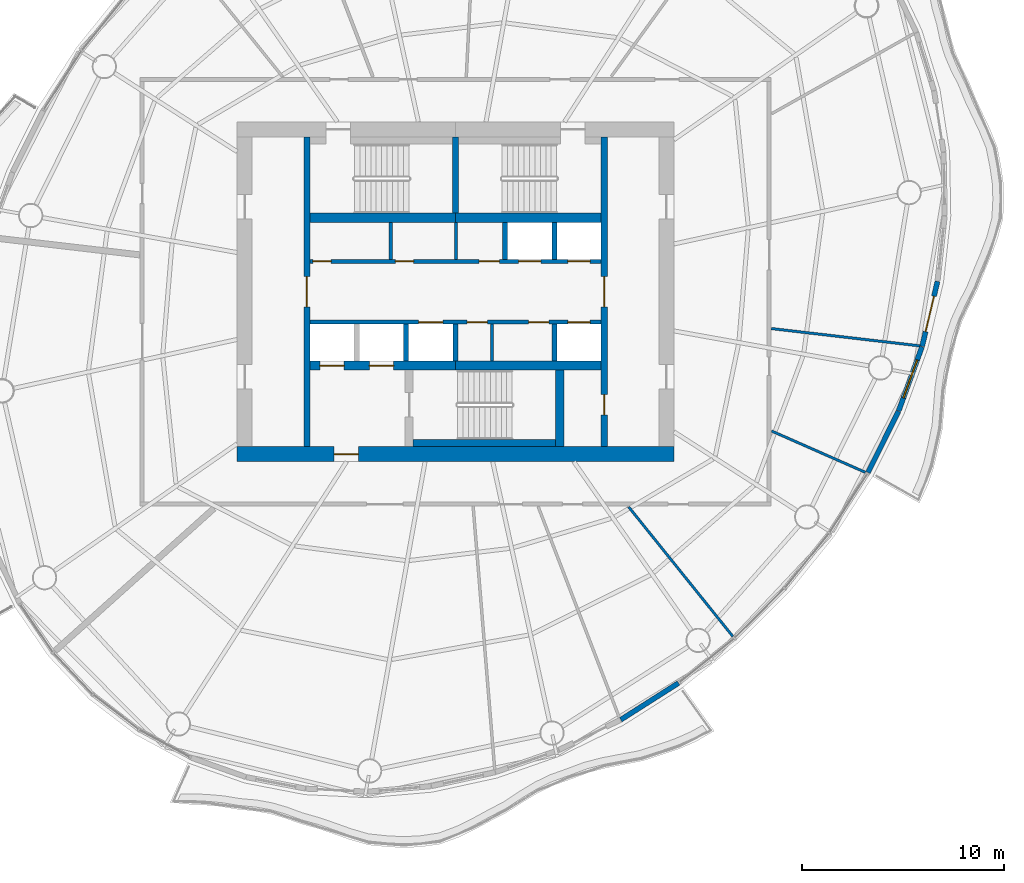
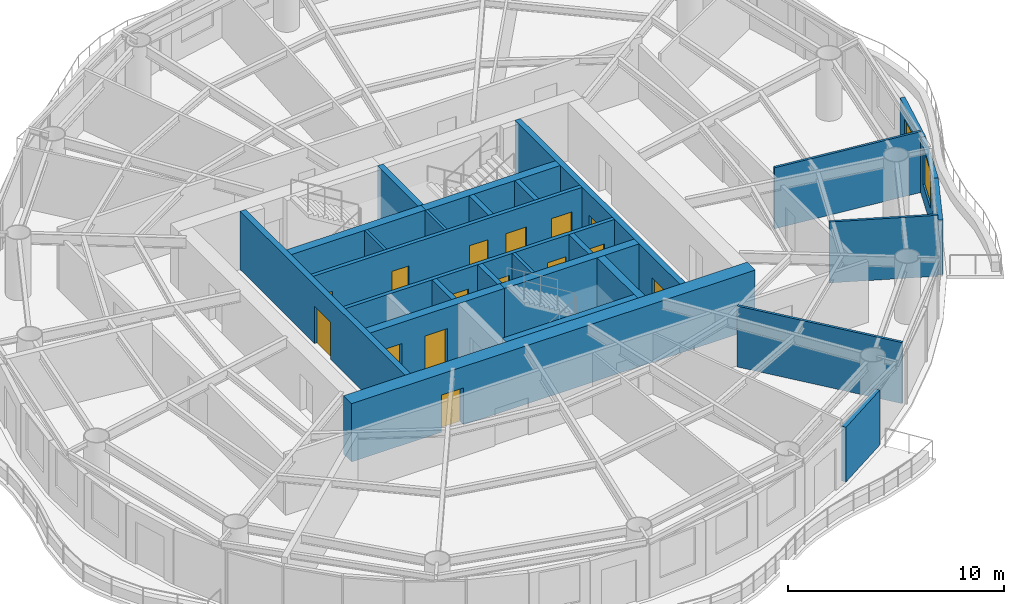
# One storey, part 9 of 14: 27 walls, 16 doors, 1 window, 17 openings.
"""IFC4 building model written with IfcOpenShell, lengths in metres."""

from ifc_helpers import new_model, si_unit, direction, frame, frame_2d, origin, place, context, subcontext, project, spatial, rectangle, extrude, material, layer, layer_set, type_object, element, fill, save


model = new_model("IFC4")

# Units and contexts
model_context = context("Model", 3, precision=1e-05, world=origin(), true_north=direction((0.0, 1.0)))
body_context = subcontext(model_context, "Body", "Model", "MODEL_VIEW")
ifc_project = project(units=[si_unit("LENGTHUNIT", "METRE"), si_unit("AREAUNIT", "SQUARE_METRE"), si_unit("VOLUMEUNIT", "CUBIC_METRE"), si_unit("PLANEANGLEUNIT", "RADIAN"), si_unit("MASSUNIT", "GRAM", prefix="KILO")], contexts=[model_context])

# Site, building, storey
site_placement = place(None, origin())
site = spatial("IfcSite", under=ifc_project, at=site_placement, CompositionType="ELEMENT")
building_placement = place(site_placement, origin())
building = spatial("IfcBuilding", under=site, at=building_placement, Name="Vermilion Reach Broadcast Tower", CompositionType="ELEMENT")
storey_placement = place(building_placement, frame((0.0, 0.0, 224.5)))
storey = spatial("IfcBuildingStorey", under=building, at=storey_placement, Name="L55", CompositionType="ELEMENT", Elevation=224.5)

# Wall, opening, door
ifc_material_1 = material(Name="Concrete C60", Category="concrete")
ifc_layer_1 = layer(ifc_material_1, 0.300048828125)
ifc_layer_set_1 = layer_set([ifc_layer_1], Name="Core inner wall 300 mm Concrete C60")
wall_type_1 = type_object("IfcWallType", Name="Core inner wall 300 mm Concrete C60", PredefinedType="SHEAR", material=ifc_layer_set_1)
wall_1_placement = place(storey_placement, frame((-13.35009765625, 7.64990234375, 0.0), z_axis=(0.0, 0.0, 1.0), x_axis=(0.0, -1.0, 0.0)))
wall_1 = element("IfcWall", 1, at=wall_1_placement, inside=storey, type_object=wall_type_1, Name="L55 core wall ewW", PredefinedType="SHEAR", context=body_context, shape_type="SweptSolid", body=[
    extrude(rectangle(XDim=15.2998046875, YDim=0.300048828125, at=frame_2d((7.64990234375, 0.0))), origin(), (0.0, 0.0, 1.0), 3.300048828125),
])
opening_1_placement = place(wall_1_placement, frame((6.89990234375, 0.0, 0.0)))
opening_1 = element("IfcOpeningElement", 2, at=opening_1_placement, cuts=wall_1, Name="Opening D04", PredefinedType="OPENING", context=body_context, shape_type="SweptSolid", body=[
    extrude(rectangle(XDim=1.5, YDim=2.10009765625, at=frame_2d((0.75, 1.050048828125))), frame((0.0, 0.159912109375, 0.0), z_axis=(0.0, -1.0, 0.0), x_axis=(1.0, 0.0, 0.0)), (0.0, 0.0, 1.0), 0.320068359375),
])
ifc_material_2 = material(Name="Painted steel fire door", Category="steel")
door_type_1 = type_object("IfcDoorType", Name="Lift lobby door 1500 x 2100", OperationType="DOUBLE_DOOR_SINGLE_SWING", PredefinedType="NOTDEFINED", material=ifc_material_2)
door_1_placement = place(opening_1_placement, origin())
door_1 = element("IfcDoor", 3, at=door_1_placement, inside=storey, type_object=door_type_1, Name="L55 band door BW", OperationType="DOUBLE_DOOR_SINGLE_SWING", OverallHeight=2.10009765625, OverallWidth=1.5, PredefinedType="NOTDEFINED", context=body_context, shape_type="SweptSolid", body=[
    extrude(rectangle(XDim=1.5, YDim=2.10009765625, at=frame_2d((0.75, 1.050048828125))), frame((0.0, 0.02490234375, 0.0), z_axis=(0.0, -1.0, 0.0), x_axis=(1.0, 0.0, 0.0)), (0.0, 0.0, 1.0), 0.050048828125),
])
fill(opening_1, door_1)

# Wall, openings, doors
wall_2_placement = place(storey_placement, frame((1.35009765625, -7.64990234375, 0.0), z_axis=(0.0, 0.0, 1.0), x_axis=(0.0, 1.0, 0.0)))
wall_2 = element("IfcWall", 4, at=wall_2_placement, inside=storey, type_object=wall_type_1, Name="L55 core wall ewE", PredefinedType="SHEAR", context=body_context, shape_type="SweptSolid", body=[
    extrude(rectangle(XDim=15.2998046875, YDim=0.300048828125, at=frame_2d((7.64990234375, 0.0))), origin(), (0.0, 0.0, 1.0), 3.300048828125),
])
opening_2_placement = place(wall_2_placement, frame((1.56005859375, 0.0, 0.0)))
opening_2 = element("IfcOpeningElement", 5, at=opening_2_placement, cuts=wall_2, Name="Opening D05", PredefinedType="OPENING", context=body_context, shape_type="SweptSolid", body=[
    extrude(rectangle(XDim=1.0, YDim=2.10009765625, at=frame_2d((0.5, 1.050048828125))), frame((0.0, 0.159912109375, 0.0), z_axis=(0.0, -1.0, 0.0), x_axis=(1.0, 0.0, 0.0)), (0.0, 0.0, 1.0), 0.320068359375),
])
opening_3_placement = place(wall_2_placement, frame((6.89990234375, 0.0, 0.0)))
opening_3 = element("IfcOpeningElement", 6, at=opening_3_placement, cuts=wall_2, Name="Opening D04", PredefinedType="OPENING", context=body_context, shape_type="SweptSolid", body=[
    extrude(rectangle(XDim=1.5, YDim=2.10009765625, at=frame_2d((0.75, 1.050048828125))), frame((0.0, 0.159912109375, 0.0), z_axis=(0.0, -1.0, 0.0), x_axis=(1.0, 0.0, 0.0)), (0.0, 0.0, 1.0), 0.320068359375),
])
door_2_placement = place(opening_3_placement, origin())
door_2 = element("IfcDoor", 7, at=door_2_placement, inside=storey, type_object=door_type_1, Name="L55 band door BE", OperationType="DOUBLE_DOOR_SINGLE_SWING", OverallHeight=2.10009765625, OverallWidth=1.5, PredefinedType="NOTDEFINED", context=body_context, shape_type="SweptSolid", body=[
    extrude(rectangle(XDim=1.5, YDim=2.10009765625, at=frame_2d((0.75, 1.050048828125))), frame((0.0, 0.02490234375, 0.0), z_axis=(0.0, -1.0, 0.0), x_axis=(1.0, 0.0, 0.0)), (0.0, 0.0, 1.0), 0.050048828125),
])
fill(opening_3, door_2)
ifc_material_3 = material(Name="Timber door", Category="wood")
door_type_2 = type_object("IfcDoorType", Name="Room door 1000 x 2100", OperationType="NOTDEFINED", PredefinedType="NOTDEFINED", material=ifc_material_3)
door_3_placement = place(opening_2_placement, origin())
door_3 = element("IfcDoor", 8, at=door_3_placement, inside=storey, type_object=door_type_2, Name="L55 door SER", OperationType="SINGLE_SWING_LEFT", OverallHeight=2.10009765625, OverallWidth=1.0, PredefinedType="NOTDEFINED", context=body_context, shape_type="SweptSolid", body=[
    extrude(rectangle(XDim=1.0, YDim=2.10009765625, at=frame_2d((0.5, 1.050048828125))), frame((0.0, 0.02490234375, 0.0), z_axis=(0.0, -1.0, 0.0), x_axis=(1.0, 0.0, 0.0)), (0.0, 0.0, 1.0), 0.050048828125),
])
fill(opening_2, door_3)

# Walls
wall_3_placement = place(storey_placement, frame((-6.0, 3.8798828125, 0.0), z_axis=(0.0, 0.0, 1.0), x_axis=(0.0, 1.0, 0.0)))
element("IfcWall", 9, at=wall_3_placement, inside=storey, type_object=wall_type_1, Name="L55 core wall wc", PredefinedType="SHEAR", context=body_context, shape_type="SweptSolid", body=[
    extrude(rectangle(XDim=3.77001953125, YDim=0.300048828125, at=frame_2d((1.885009765625, 0.0))), origin(), (0.0, 0.0, 1.0), 3.300048828125),
])
ifc_material_4 = material(Name="Concrete C60", Category="concrete")
ifc_layer_2 = layer(ifc_material_4, 0.39990234375)
ifc_layer_set_2 = layer_set([ifc_layer_2], Name="Core inner wall 400 mm Concrete C60")
wall_type_2 = type_object("IfcWallType", Name="Core inner wall 400 mm Concrete C60", PredefinedType="SHEAR", material=ifc_layer_set_2)
wall_4_placement = place(storey_placement, frame((-0.85009765625, -3.8798828125, 0.0), z_axis=(0.0, 0.0, 1.0), x_axis=(0.0, -1.0, 0.0)))
element("IfcWall", 10, at=wall_4_placement, inside=storey, type_object=wall_type_2, Name="L55 core wall wb", PredefinedType="SHEAR", context=body_context, shape_type="SweptSolid", body=[
    extrude(rectangle(XDim=3.77001953125, YDim=0.39990234375, at=frame_2d((1.885009765625, 0.0))), origin(), (0.0, 0.0, 1.0), 3.300048828125),
])
ifc_material_5 = material(Name="Concrete C60", Category="concrete")
ifc_layer_3 = layer(ifc_material_5, 0.449951171875)
ifc_layer_set_3 = layer_set([ifc_layer_3], Name="Core inner wall 450 mm Concrete C60")
wall_type_3 = type_object("IfcWallType", Name="Core inner wall 450 mm Concrete C60", PredefinedType="SHEAR", material=ifc_layer_set_3)
for number, where, z_axis, x_axis, name in (
    (11, (-13.199951171875, 3.655029296875, 0.0), (0.0, 0.0, 1.0), (1.0, 0.0, 0.0), "L55 core wall winW"),
    (12, (-6.0, 3.655029296875, 0.0), (0.0, 0.0, 1.0), (1.0, 0.0, 0.0), "L55 core wall winE"),
):
    element("IfcWall", number, at=place(storey_placement, frame(where, z_axis=z_axis, x_axis=x_axis)), inside=storey, type_object=wall_type_3, Name=name, PredefinedType="SHEAR", context=body_context, shape_type="SweptSolid", body=[
        extrude(rectangle(XDim=7.199951171875, YDim=0.449951171875, at=frame_2d((3.60009765625, 0.0))), origin(), (0.0, 0.0, 1.0), 3.300048828125),
    ])

# Wall, openings, doors
wall_5_placement = place(storey_placement, frame((-13.199951171875, -3.655029296875, 0.0), z_axis=(0.0, 0.0, 1.0), x_axis=(1.0, 0.0, 0.0)))
wall_5 = element("IfcWall", 13, at=wall_5_placement, inside=storey, type_object=wall_type_3, Name="L55 core wall wisW", PredefinedType="SHEAR", context=body_context, shape_type="SweptSolid", body=[
    extrude(rectangle(XDim=7.199951171875, YDim=0.449951171875, at=frame_2d((3.60009765625, 0.0))), origin(), (0.0, 0.0, 1.0), 3.300048828125),
])
opening_4_placement = place(wall_5_placement, frame((0.495849609375, 0.0, 0.0)))
opening_4 = element("IfcOpeningElement", 14, at=opening_4_placement, cuts=wall_5, Name="Opening LD1", PredefinedType="OPENING", context=body_context, shape_type="SweptSolid", body=[
    extrude(rectangle(XDim=1.199951171875, YDim=2.10009765625, at=frame_2d((0.60009765625, 1.050048828125))), frame((0.0, 0.23486328125, 0.0), z_axis=(0.0, -1.0, 0.0), x_axis=(1.0, 0.0, 0.0)), (0.0, 0.0, 1.0), 0.469970703125),
])
opening_5_placement = place(wall_5_placement, frame((2.9375, 0.0, 0.0)))
opening_5 = element("IfcOpeningElement", 15, at=opening_5_placement, cuts=wall_5, Name="Opening LD1", PredefinedType="OPENING", context=body_context, shape_type="SweptSolid", body=[
    extrude(rectangle(XDim=1.199951171875, YDim=2.10009765625, at=frame_2d((0.60009765625, 1.050048828125))), frame((0.0, 0.23486328125, 0.0), z_axis=(0.0, -1.0, 0.0), x_axis=(1.0, 0.0, 0.0)), (0.0, 0.0, 1.0), 0.469970703125),
])
ifc_material_6 = material(Name="Stainless steel", Category="steel")
door_type_3 = type_object("IfcDoorType", Name="Landing door 1200 x 2100", OperationType="DOUBLE_DOOR_SLIDING", PredefinedType="NOTDEFINED", material=ifc_material_6)
door_4_placement = place(opening_4_placement, origin())
door_4 = element("IfcDoor", 16, at=door_4_placement, inside=storey, type_object=door_type_3, Name="L55 landing door FF1", OperationType="DOUBLE_DOOR_SLIDING", OverallHeight=2.10009765625, OverallWidth=1.199951171875, PredefinedType="NOTDEFINED", context=body_context, shape_type="SweptSolid", body=[
    extrude(rectangle(XDim=1.199951171875, YDim=2.10009765625, at=frame_2d((0.60009765625, 1.050048828125))), frame((0.0, 0.02490234375, 0.0), z_axis=(0.0, -1.0, 0.0), x_axis=(1.0, 0.0, 0.0)), (0.0, 0.0, 1.0), 0.050048828125),
])
fill(opening_4, door_4)
door_5_placement = place(opening_5_placement, origin())
door_5 = element("IfcDoor", 17, at=door_5_placement, inside=storey, type_object=door_type_3, Name="L55 landing door FF2", OperationType="DOUBLE_DOOR_SLIDING", OverallHeight=2.10009765625, OverallWidth=1.199951171875, PredefinedType="NOTDEFINED", context=body_context, shape_type="SweptSolid", body=[
    extrude(rectangle(XDim=1.199951171875, YDim=2.10009765625, at=frame_2d((0.60009765625, 1.050048828125))), frame((0.0, 0.02490234375, 0.0), z_axis=(0.0, -1.0, 0.0), x_axis=(1.0, 0.0, 0.0)), (0.0, 0.0, 1.0), 0.050048828125),
])
fill(opening_5, door_5)

# Wall
wall_6_placement = place(storey_placement, frame((-6.0, -3.655029296875, 0.0), z_axis=(0.0, 0.0, 1.0), x_axis=(1.0, 0.0, 0.0)))
element("IfcWall", 18, at=wall_6_placement, inside=storey, type_object=wall_type_3, Name="L55 core wall wisE", PredefinedType="SHEAR", context=body_context, shape_type="SweptSolid", body=[
    extrude(rectangle(XDim=7.199951171875, YDim=0.449951171875, at=frame_2d((3.60009765625, 0.0))), origin(), (0.0, 0.0, 1.0), 3.300048828125),
])

# Wall, opening, door
ifc_material_7 = material(Name="Concrete C60", Category="concrete")
ifc_layer_4 = layer(ifc_material_7, 0.75)
ifc_layer_set_4 = layer_set([ifc_layer_4], Name="Core outer wall 750 mm Concrete C60")
wall_type_4 = type_object("IfcWallType", Name="Core outer wall 750 mm Concrete C60", PredefinedType="SHEAR", material=ifc_layer_set_4)
wall_7_placement = place(storey_placement, frame((-16.800048828125, -8.02490234375, 0.0), z_axis=(0.0, 0.0, 1.0), x_axis=(1.0, 0.0, 0.0)))
wall_7 = element("IfcWall", 19, at=wall_7_placement, inside=storey, type_object=wall_type_4, Name="L55 core wall os", PredefinedType="SHEAR", context=body_context, shape_type="SweptSolid", body=[
    extrude(rectangle(XDim=21.60009765625, YDim=0.75, at=frame_2d((10.800048828125, 0.0))), origin(), (0.0, 0.0, 1.0), 3.300048828125),
])
opening_6_placement = place(wall_7_placement, frame((4.800048828125, 0.0, 0.0)))
opening_6 = element("IfcOpeningElement", 20, at=opening_6_placement, cuts=wall_7, Name="Opening D02", PredefinedType="OPENING", context=body_context, shape_type="SweptSolid", body=[
    extrude(rectangle(XDim=1.199951171875, YDim=2.10009765625, at=frame_2d((0.60009765625, 1.050048828125))), frame((0.0, 0.385009765625, 0.0), z_axis=(0.0, -1.0, 0.0), x_axis=(1.0, 0.0, 0.0)), (0.0, 0.0, 1.0), 0.77001953125),
])
ifc_material_8 = material(Name="Painted steel fire door", Category="steel")
door_type_4 = type_object("IfcDoorType", Name="Firefighting lobby door 1200 x 2100", OperationType="DOUBLE_DOOR_SINGLE_SWING", PredefinedType="NOTDEFINED", material=ifc_material_8)
door_6_placement = place(opening_6_placement, origin())
door_6 = element("IfcDoor", 21, at=door_6_placement, inside=storey, type_object=door_type_4, Name="L55 ffdoor door FFL", OperationType="DOUBLE_DOOR_SINGLE_SWING", OverallHeight=2.10009765625, OverallWidth=1.199951171875, PredefinedType="NOTDEFINED", context=body_context, shape_type="SweptSolid", body=[
    extrude(rectangle(XDim=1.199951171875, YDim=2.10009765625, at=frame_2d((0.60009765625, 1.050048828125))), frame((0.0, 0.02490234375, 0.0), z_axis=(0.0, -1.0, 0.0), x_axis=(1.0, 0.0, 0.0)), (0.0, 0.0, 1.0), 0.050048828125),
])
fill(opening_6, door_6)

# Walls
ifc_material_9 = material(Name="Masonry block", Category="masonry")
ifc_layer_5 = layer(ifc_material_9, 0.14990234375)
ifc_layer_set_5 = layer_set([ifc_layer_5], Name="Core partition wall 150 mm Masonry block")
wall_type_5 = type_object("IfcWallType", Name="Core partition wall 150 mm Masonry block", PredefinedType="PARTITIONING", material=ifc_layer_set_5)
for number, where, z_axis, x_axis, name in (
    (22, (-9.202880859375, 1.60009765625, 0.0), (0.0, 0.0, 1.0), (0.0, 1.0, 0.0), "L55 core wall prN-3203"),
    (23, (-5.96728515625, 1.60009765625, 0.0), (0.0, 0.0, 1.0), (0.0, 1.0, 0.0), "L55 core wall prN33"),
    (24, (-4.20703125, -1.60009765625, 0.0), (0.0, 0.0, 1.0), (0.0, -1.0, 0.0), "L55 core wall prS1793"),
):
    element("IfcWall", number, at=place(storey_placement, frame(where, z_axis=z_axis, x_axis=x_axis)), inside=storey, type_object=wall_type_5, Name=name, PredefinedType="PARTITIONING", context=body_context, shape_type="SweptSolid", body=[
        extrude(rectangle(XDim=1.829833984375, YDim=0.14990234375, at=frame_2d((0.9150390625, 0.0))), origin(), (0.0, 0.0, 1.0), 3.300048828125),
    ])

# Wall, openings, doors
ifc_material_10 = material(Name="Concrete C50", Category="concrete")
ifc_layer_6 = layer(ifc_material_10, 0.199951171875)
ifc_layer_set_6 = layer_set([ifc_layer_6], Name="Core shaft wall 200 mm Concrete C50")
wall_type_6 = type_object("IfcWallType", Name="Core shaft wall 200 mm Concrete C50", PredefinedType="SHEAR", material=ifc_layer_set_6)
wall_8_placement = place(storey_placement, frame((-13.199951171875, 1.5, 0.0), z_axis=(0.0, 0.0, 1.0), x_axis=(1.0, 0.0, 0.0)))
wall_8 = element("IfcWall", 25, at=wall_8_placement, inside=storey, type_object=wall_type_6, Name="L55 core wall fn", PredefinedType="SHEAR", context=body_context, shape_type="SweptSolid", body=[
    extrude(rectangle(XDim=14.39990234375, YDim=0.199951171875, at=frame_2d((7.199951171875, 0.0))), origin(), (0.0, 0.0, 1.0), 3.300048828125),
])
opening_7_placement = place(wall_8_placement, frame((10.3125, 0.0, 0.0)))
opening_7 = element("IfcOpeningElement", 26, at=opening_7_placement, cuts=wall_8, Name="Opening LD2", PredefinedType="OPENING", context=body_context, shape_type="SweptSolid", body=[
    extrude(rectangle(XDim=1.10009765625, YDim=2.10009765625, at=frame_2d((0.550048828125, 1.050048828125))), frame((0.0, 0.10986328125, 0.0), z_axis=(0.0, -1.0, 0.0), x_axis=(1.0, 0.0, 0.0)), (0.0, 0.0, 1.0), 0.219970703125),
])
opening_8_placement = place(wall_8_placement, frame((12.754150390625, 0.0, 0.0)))
opening_8 = element("IfcOpeningElement", 27, at=opening_8_placement, cuts=wall_8, Name="Opening LD2", PredefinedType="OPENING", context=body_context, shape_type="SweptSolid", body=[
    extrude(rectangle(XDim=1.10009765625, YDim=2.10009765625, at=frame_2d((0.550048828125, 1.050048828125))), frame((0.0, 0.10986328125, 0.0), z_axis=(0.0, -1.0, 0.0), x_axis=(1.0, 0.0, 0.0)), (0.0, 0.0, 1.0), 0.219970703125),
])
opening_9_placement = place(wall_8_placement, frame((0.14990234375, 0.0, 0.0)))
opening_9 = element("IfcOpeningElement", 28, at=opening_9_placement, cuts=wall_8, Name="Opening D06", PredefinedType="OPENING", context=body_context, shape_type="SweptSolid", body=[
    extrude(rectangle(XDim=0.89990234375, YDim=2.10009765625, at=frame_2d((0.449951171875, 1.050048828125))), frame((0.0, 0.10986328125, 0.0), z_axis=(0.0, -1.0, 0.0), x_axis=(1.0, 0.0, 0.0)), (0.0, 0.0, 1.0), 0.219970703125),
])
opening_10_placement = place(wall_8_placement, frame((4.221923828125, 0.0, 0.0)))
opening_10 = element("IfcOpeningElement", 29, at=opening_10_placement, cuts=wall_8, Name="Opening D06", PredefinedType="OPENING", context=body_context, shape_type="SweptSolid", body=[
    extrude(rectangle(XDim=0.89990234375, YDim=2.10009765625, at=frame_2d((0.449951171875, 1.050048828125))), frame((0.0, 0.10986328125, 0.0), z_axis=(0.0, -1.0, 0.0), x_axis=(1.0, 0.0, 0.0)), (0.0, 0.0, 1.0), 0.219970703125),
])
opening_11_placement = place(wall_8_placement, frame((8.36669921875, 0.0, 0.0)))
opening_11 = element("IfcOpeningElement", 30, at=opening_11_placement, cuts=wall_8, Name="Opening D10", PredefinedType="OPENING", context=body_context, shape_type="SweptSolid", body=[
    extrude(rectangle(XDim=1.0, YDim=2.10009765625, at=frame_2d((0.5, 1.050048828125))), frame((0.0, 0.10986328125, 0.0), z_axis=(0.0, -1.0, 0.0), x_axis=(1.0, 0.0, 0.0)), (0.0, 0.0, 1.0), 0.219970703125),
])
ifc_material_11 = material(Name="Stainless steel", Category="steel")
door_type_5 = type_object("IfcDoorType", Name="Landing door 1100 x 2100", OperationType="DOUBLE_DOOR_SLIDING", PredefinedType="NOTDEFINED", material=ifc_material_11)
door_7_placement = place(opening_7_placement, origin())
door_7 = element("IfcDoor", 31, at=door_7_placement, inside=storey, type_object=door_type_5, Name="L55 landing door HR1", OperationType="DOUBLE_DOOR_SLIDING", OverallHeight=2.10009765625, OverallWidth=1.10009765625, PredefinedType="NOTDEFINED", context=body_context, shape_type="SweptSolid", body=[
    extrude(rectangle(XDim=1.10009765625, YDim=2.10009765625, at=frame_2d((0.550048828125, 1.050048828125))), frame((0.0, 0.02490234375, 0.0), z_axis=(0.0, -1.0, 0.0), x_axis=(1.0, 0.0, 0.0)), (0.0, 0.0, 1.0), 0.050048828125),
])
fill(opening_7, door_7)
door_8_placement = place(opening_8_placement, origin())
door_8 = element("IfcDoor", 32, at=door_8_placement, inside=storey, type_object=door_type_5, Name="L55 landing door HR2", OperationType="DOUBLE_DOOR_SLIDING", OverallHeight=2.10009765625, OverallWidth=1.10009765625, PredefinedType="NOTDEFINED", context=body_context, shape_type="SweptSolid", body=[
    extrude(rectangle(XDim=1.10009765625, YDim=2.10009765625, at=frame_2d((0.550048828125, 1.050048828125))), frame((0.0, 0.02490234375, 0.0), z_axis=(0.0, -1.0, 0.0), x_axis=(1.0, 0.0, 0.0)), (0.0, 0.0, 1.0), 0.050048828125),
])
fill(opening_8, door_8)
ifc_material_12 = material(Name="Timber door", Category="wood")
door_type_6 = type_object("IfcDoorType", Name="WC door 900 x 2100", OperationType="NOTDEFINED", PredefinedType="NOTDEFINED", material=ifc_material_12)
door_9_placement = place(opening_9_placement, origin())
door_9 = element("IfcDoor", 33, at=door_9_placement, inside=storey, type_object=door_type_6, Name="L55 door Female WC", OperationType="SINGLE_SWING_LEFT", OverallHeight=2.10009765625, OverallWidth=0.89990234375, PredefinedType="NOTDEFINED", context=body_context, shape_type="SweptSolid", body=[
    extrude(rectangle(XDim=0.89990234375, YDim=2.10009765625, at=frame_2d((0.449951171875, 1.050048828125))), frame((0.0, 0.02490234375, 0.0), z_axis=(0.0, -1.0, 0.0), x_axis=(1.0, 0.0, 0.0)), (0.0, 0.0, 1.0), 0.050048828125),
])
fill(opening_9, door_9)
door_10_placement = place(opening_10_placement, origin())
door_10 = element("IfcDoor", 34, at=door_10_placement, inside=storey, type_object=door_type_6, Name="L55 door Male WC", OperationType="SINGLE_SWING_LEFT", OverallHeight=2.10009765625, OverallWidth=0.89990234375, PredefinedType="NOTDEFINED", context=body_context, shape_type="SweptSolid", body=[
    extrude(rectangle(XDim=0.89990234375, YDim=2.10009765625, at=frame_2d((0.449951171875, 1.050048828125))), frame((0.0, 0.02490234375, 0.0), z_axis=(0.0, -1.0, 0.0), x_axis=(1.0, 0.0, 0.0)), (0.0, 0.0, 1.0), 0.050048828125),
])
fill(opening_10, door_10)
ifc_material_13 = material(Name="Timber door", Category="wood")
door_type_7 = type_object("IfcDoorType", Name="WC lobby door 1000 x 2100", OperationType="NOTDEFINED", PredefinedType="NOTDEFINED", material=ifc_material_13)
door_11_placement = place(opening_11_placement, origin())
door_11 = element("IfcDoor", 35, at=door_11_placement, inside=storey, type_object=door_type_7, Name="L55 door WC lobby", OperationType="SINGLE_SWING_RIGHT", OverallHeight=2.10009765625, OverallWidth=1.0, PredefinedType="NOTDEFINED", context=body_context, shape_type="SweptSolid", body=[
    extrude(rectangle(XDim=1.0, YDim=2.10009765625, at=frame_2d((0.5, 1.050048828125))), frame((0.0, 0.02490234375, 0.0), z_axis=(0.0, -1.0, 0.0), x_axis=(1.0, 0.0, 0.0)), (0.0, 0.0, 1.0), 0.050048828125),
])
fill(opening_11, door_11)

wall_9_placement = place(storey_placement, frame((1.199951171875, -1.5, 0.0), z_axis=(0.0, 0.0, 1.0), x_axis=(-1.0, 0.0, 0.0)))
wall_9 = element("IfcWall", 36, at=wall_9_placement, inside=storey, type_object=wall_type_6, Name="L55 core wall fs", PredefinedType="SHEAR", context=body_context, shape_type="SweptSolid", body=[
    extrude(rectangle(XDim=14.39990234375, YDim=0.199951171875, at=frame_2d((7.199951171875, 0.0))), origin(), (0.0, 0.0, 1.0), 3.300048828125),
])
opening_12_placement = place(wall_9_placement, frame((7.82080078125, 0.0, 0.0)))
opening_12 = element("IfcOpeningElement", 37, at=opening_12_placement, cuts=wall_9, Name="Opening LD1", PredefinedType="OPENING", context=body_context, shape_type="SweptSolid", body=[
    extrude(rectangle(XDim=1.199951171875, YDim=2.10009765625, at=frame_2d((0.60009765625, 1.050048828125))), frame((0.0, 0.10986328125, 0.0), z_axis=(0.0, -1.0, 0.0), x_axis=(1.0, 0.0, 0.0)), (0.0, 0.0, 1.0), 0.219970703125),
])
opening_13_placement = place(wall_9_placement, frame((0.5458984375, 0.0, 0.0)))
opening_13 = element("IfcOpeningElement", 38, at=opening_13_placement, cuts=wall_9, Name="Opening LD2", PredefinedType="OPENING", context=body_context, shape_type="SweptSolid", body=[
    extrude(rectangle(XDim=1.10009765625, YDim=2.10009765625, at=frame_2d((0.550048828125, 1.050048828125))), frame((0.0, 0.10986328125, 0.0), z_axis=(0.0, -1.0, 0.0), x_axis=(1.0, 0.0, 0.0)), (0.0, 0.0, 1.0), 0.219970703125),
])
opening_14_placement = place(wall_9_placement, frame((5.632080078125, 0.0, 0.0)))
opening_14 = element("IfcOpeningElement", 39, at=opening_14_placement, cuts=wall_9, Name="Opening D11", PredefinedType="OPENING", context=body_context, shape_type="SweptSolid", body=[
    extrude(rectangle(XDim=1.0, YDim=2.10009765625, at=frame_2d((0.5, 1.050048828125))), frame((0.0, 0.10986328125, 0.0), z_axis=(0.0, -1.0, 0.0), x_axis=(1.0, 0.0, 0.0)), (0.0, 0.0, 1.0), 0.219970703125),
])
opening_15_placement = place(wall_9_placement, frame((2.591552734375, 0.0, 0.0)))
opening_15 = element("IfcOpeningElement", 40, at=opening_15_placement, cuts=wall_9, Name="Opening D07", PredefinedType="OPENING", context=body_context, shape_type="SweptSolid", body=[
    extrude(rectangle(XDim=1.0, YDim=2.10009765625, at=frame_2d((0.5, 1.050048828125))), frame((0.0, 0.10986328125, 0.0), z_axis=(0.0, -1.0, 0.0), x_axis=(1.0, 0.0, 0.0)), (0.0, 0.0, 1.0), 0.219970703125),
])
ifc_material_14 = material(Name="Timber door", Category="wood")
door_type_8 = type_object("IfcDoorType", Name="Accessible WC door 1000 x 2100", OperationType="NOTDEFINED", PredefinedType="NOTDEFINED", material=ifc_material_14)
door_12_placement = place(opening_15_placement, origin())
door_12 = element("IfcDoor", 41, at=door_12_placement, inside=storey, type_object=door_type_8, Name="L55 door Accessible WC", OperationType="SINGLE_SWING_LEFT", OverallHeight=2.10009765625, OverallWidth=1.0, PredefinedType="NOTDEFINED", context=body_context, shape_type="SweptSolid", body=[
    extrude(rectangle(XDim=1.0, YDim=2.10009765625, at=frame_2d((0.5, 1.050048828125))), frame((0.0, 0.02490234375, 0.0), z_axis=(0.0, -1.0, 0.0), x_axis=(1.0, 0.0, 0.0)), (0.0, 0.0, 1.0), 0.050048828125),
])
fill(opening_15, door_12)
door_13_placement = place(opening_13_placement, origin())
door_13 = element("IfcDoor", 42, at=door_13_placement, inside=storey, type_object=door_type_5, Name="L55 landing door HR3", OperationType="DOUBLE_DOOR_SLIDING", OverallHeight=2.10009765625, OverallWidth=1.10009765625, PredefinedType="NOTDEFINED", context=body_context, shape_type="SweptSolid", body=[
    extrude(rectangle(XDim=1.10009765625, YDim=2.10009765625, at=frame_2d((0.550048828125, 1.050048828125))), frame((0.0, 0.02490234375, 0.0), z_axis=(0.0, -1.0, 0.0), x_axis=(1.0, 0.0, 0.0)), (0.0, 0.0, 1.0), 0.050048828125),
])
fill(opening_13, door_13)
door_14_placement = place(opening_12_placement, origin())
door_14 = element("IfcDoor", 43, at=door_14_placement, inside=storey, type_object=door_type_3, Name="L55 landing door SV1", OperationType="DOUBLE_DOOR_SLIDING", OverallHeight=2.10009765625, OverallWidth=1.199951171875, PredefinedType="NOTDEFINED", context=body_context, shape_type="SweptSolid", body=[
    extrude(rectangle(XDim=1.199951171875, YDim=2.10009765625, at=frame_2d((0.60009765625, 1.050048828125))), frame((0.0, 0.02490234375, 0.0), z_axis=(0.0, -1.0, 0.0), x_axis=(1.0, 0.0, 0.0)), (0.0, 0.0, 1.0), 0.050048828125),
])
fill(opening_12, door_14)
ifc_material_15 = material(Name="Painted steel fire door", Category="steel")
door_type_9 = type_object("IfcDoorType", Name="Services room door 1000 x 2100", OperationType="NOTDEFINED", PredefinedType="NOTDEFINED", material=ifc_material_15)
door_15_placement = place(opening_14_placement, origin())
door_15 = element("IfcDoor", 44, at=door_15_placement, inside=storey, type_object=door_type_9, Name="L55 door Electrical room", OperationType="SINGLE_SWING_LEFT", OverallHeight=2.10009765625, OverallWidth=1.0, PredefinedType="NOTDEFINED", context=body_context, shape_type="SweptSolid", body=[
    extrude(rectangle(XDim=1.0, YDim=2.10009765625, at=frame_2d((0.5, 1.050048828125))), frame((0.0, 0.02490234375, 0.0), z_axis=(0.0, -1.0, 0.0), x_axis=(1.0, 0.0, 0.0)), (0.0, 0.0, 1.0), 0.050048828125),
])
fill(opening_14, door_15)

# Walls
ifc_material_16 = material(Name="Concrete C50", Category="concrete")
ifc_layer_7 = layer(ifc_material_16, 0.25)
ifc_layer_set_7 = layer_set([ifc_layer_7], Name="Core shaft wall 250 mm Concrete C50")
wall_type_7 = type_object("IfcWallType", Name="Core shaft wall 250 mm Concrete C50", PredefinedType="SHEAR", material=ifc_layer_set_7)
for number, where, z_axis, x_axis, name in (
    (45, (-3.558349609375, 1.60009765625, 0.0), (0.0, 0.0, 1.0), (0.0, 1.0, 0.0), "L55 core wall psN3"),
    (46, (-1.11669921875, 1.60009765625, 0.0), (0.0, 0.0, 1.0), (0.0, 1.0, 0.0), "L55 core wall psN4"),
    (47, (-8.441650390625, -1.60009765625, 0.0), (0.0, 0.0, 1.0), (0.0, -1.0, 0.0), "L55 core wall psS1"),
    (48, (-6.0, -1.60009765625, 0.0), (0.0, 0.0, 1.0), (0.0, -1.0, 0.0), "L55 core wall psS2"),
    (49, (-1.11669921875, -1.60009765625, 0.0), (0.0, 0.0, 1.0), (0.0, -1.0, 0.0), "L55 core wall psS4"),
):
    element("IfcWall", number, at=place(storey_placement, frame(where, z_axis=z_axis, x_axis=x_axis)), inside=storey, type_object=wall_type_7, Name=name, PredefinedType="SHEAR", context=body_context, shape_type="SweptSolid", body=[
        extrude(rectangle(XDim=1.829833984375, YDim=0.25, at=frame_2d((0.9150390625, 0.0))), origin(), (0.0, 0.0, 1.0), 3.300048828125),
    ])
ifc_material_17 = material(Name="Concrete C60", Category="concrete")
ifc_layer_8 = layer(ifc_material_17, 0.35009765625)
ifc_layer_set_8 = layer_set([ifc_layer_8], Name="Core stair wall 350 mm Concrete C60")
wall_type_8 = type_object("IfcWallType", Name="Core stair wall 350 mm Concrete C60", PredefinedType="SHEAR", material=ifc_layer_set_8)
wall_10_placement = place(storey_placement, frame((-8.10009765625, -7.47509765625, 0.0), z_axis=(0.0, 0.0, 1.0), x_axis=(1.0, 0.0, 0.0)))
element("IfcWall", 50, at=wall_10_placement, inside=storey, type_object=wall_type_8, Name="L55 core wall l3", PredefinedType="SHEAR", context=body_context, shape_type="SweptSolid", body=[
    extrude(rectangle(XDim=7.050048828125, YDim=0.35009765625, at=frame_2d((3.52490234375, 0.0))), origin(), (0.0, 0.0, 1.0), 3.300048828125),
])
ifc_material_18 = material(Name="Fire-rated plasterboard on steel stud", Category="steel")
ifc_layer_9 = layer(ifc_material_18, 0.125)
ifc_layer_set_9 = layer_set([ifc_layer_9], Name="Partition 125 fire-rated stud")
wall_type_9 = type_object("IfcWallType", Name="Partition 125 fire-rated stud", PredefinedType="PARTITIONING", material=ifc_layer_set_9)
wall_11_placement = place(storey_placement, frame((7.706298828125, -17.0380859375, 0.0), z_axis=(0.0, 0.0, 1.0), x_axis=(-0.626795529624, 0.77918378066, 0.0)))
element("IfcWall", 51, at=wall_11_placement, inside=storey, type_object=wall_type_9, Name="Partition 55.09", PredefinedType="PARTITIONING", context=body_context, shape_type="SweptSolid", body=[
    extrude(rectangle(XDim=8.21240234375, YDim=0.125, at=frame_2d((4.106201171875, 0.0))), origin(), (0.0, 0.0, 1.0), 3.449951171875),
])
wall_12_placement = place(storey_placement, frame((14.257080078125, -8.92724609375, 0.0), z_axis=(0.0, 0.0, 1.0), x_axis=(-0.915078040673, 0.403276802555, 0.0)))
element("IfcWall", 52, at=wall_12_placement, inside=storey, type_object=wall_type_9, Name="Partition 55.10", PredefinedType="PARTITIONING", context=body_context, shape_type="SweptSolid", body=[
    extrude(rectangle(XDim=5.061767578125, YDim=0.125, at=frame_2d((2.53076171875, 0.0))), origin(), (0.0, 0.0, 1.0), 3.449951171875),
])
wall_13_placement = place(storey_placement, frame((16.943115234375, -2.676025390625, 0.0), z_axis=(0.0, 0.0, 1.0), x_axis=(-0.993265421739, 0.115861132295, 0.0)))
element("IfcWall", 53, at=wall_13_placement, inside=storey, type_object=wall_type_9, Name="Partition 55.11", PredefinedType="PARTITIONING", context=body_context, shape_type="SweptSolid", body=[
    extrude(rectangle(XDim=7.3857421875, YDim=0.125, at=frame_2d((3.69287109375, 0.0))), origin(), (0.0, 0.0, 1.0), 3.449951171875),
])
ifc_material_19 = material(Name="Terracotta rainscreen cladding", Category="masonry")
ifc_layer_10 = layer(ifc_material_19, 0.25)
ifc_layer_set_10 = layer_set([ifc_layer_10], Name="Terracotta rainscreen wall 250")
wall_type_10 = type_object("IfcWallType", Name="Terracotta rainscreen wall 250", PredefinedType="SOLIDWALL", material=ifc_layer_set_10)
wall_14_placement = place(storey_placement, frame((2.167236328125, -21.159912109375, 0.0), z_axis=(0.0, 0.0, 1.0), x_axis=(0.843780310555, 0.536688724979, 0.0)))
element("IfcWall", 54, at=wall_14_placement, inside=storey, type_object=wall_type_10, Name="External wall L55 33", PredefinedType="SOLIDWALL", context=body_context, shape_type="SweptSolid", body=[
    extrude(rectangle(XDim=3.383544921875, YDim=0.25, at=frame_2d((1.69189453125, 0.0))), origin(), (0.0, 0.0, 1.0), 3.10009765625),
])
wall_15_placement = place(storey_placement, frame((14.39013671875, -8.93994140625, 0.0), z_axis=(0.0, 0.0, 1.0), x_axis=(0.445538884837, 0.895262588349, 0.0)))
element("IfcWall", 55, at=wall_15_placement, inside=storey, type_object=wall_type_10, Name="External wall L55 38", PredefinedType="SOLIDWALL", context=body_context, shape_type="SweptSolid", body=[
    extrude(rectangle(XDim=3.3837890625, YDim=0.25, at=frame_2d((1.69189453125, 0.0))), origin(), (0.0, 0.0, 1.0), 3.10009765625),
])

# Wall, opening, window
wall_16_placement = place(storey_placement, frame((15.90625, -5.890380859375, 0.0), z_axis=(0.0, 0.0, 1.0), x_axis=(0.341964011847, 0.939713049075, 0.0)))
wall_16 = element("IfcWall", 56, at=wall_16_placement, inside=storey, type_object=wall_type_10, Name="External wall L55 39", PredefinedType="SOLIDWALL", context=body_context, shape_type="SweptSolid", body=[
    extrude(rectangle(XDim=3.37109375, YDim=0.25, at=frame_2d((1.685546875, 0.0))), origin(), (0.0, 0.0, 1.0), 3.10009765625),
])
opening_16_placement = place(wall_16_placement, frame((0.685546875, 0.0, 0.89990234375)))
opening_16 = element("IfcOpeningElement", 57, at=opening_16_placement, cuts=wall_16, Name="Opening W03", PredefinedType="OPENING", context=body_context, shape_type="SweptSolid", body=[
    extrude(rectangle(XDim=2.0, YDim=2.10009765625, at=frame_2d((1.0, 1.050048828125))), frame((0.0, 0.135009765625, 0.0), z_axis=(0.0, -1.0, 0.0), x_axis=(1.0, 0.0, 0.0)), (0.0, 0.0, 1.0), 0.27001953125),
])
ifc_material_20 = material(Name="Low-e laminated clear glass in aluminium frame", Category="aluminium")
window_type = type_object("IfcWindowType", Name="Punched window 2000 x 2100 sill 900", PartitioningType="SINGLE_PANEL", PredefinedType="WINDOW", material=ifc_material_20)
window_placement = place(opening_16_placement, origin())
window = element("IfcWindow", 58, at=window_placement, inside=storey, type_object=window_type, Name="Window L55 39", OverallHeight=2.10009765625, OverallWidth=2.0, PartitioningType="SINGLE_PANEL", PredefinedType="WINDOW", context=body_context, shape_type="SweptSolid", body=[
    extrude(rectangle(XDim=2.0, YDim=2.10009765625, at=frame_2d((1.0, 1.050048828125))), frame((0.0, 0.030029296875, 0.0), z_axis=(0.0, -1.0, 0.0), x_axis=(1.0, 0.0, 0.0)), (0.0, 0.0, 1.0), 0.06005859375),
])
fill(opening_16, window)

# Wall, opening, door
wall_17_placement = place(storey_placement, frame((17.065673828125, -2.700927734375, 0.0), z_axis=(0.0, 0.0, 1.0), x_axis=(0.229983418088, 0.973194547562, 0.0)))
wall_17 = element("IfcWall", 59, at=wall_17_placement, inside=storey, type_object=wall_type_10, Name="External wall L55 40", PredefinedType="SOLIDWALL", context=body_context, shape_type="SweptSolid", body=[
    extrude(rectangle(XDim=3.30029296875, YDim=0.25, at=frame_2d((1.650146484375, 0.0))), origin(), (0.0, 0.0, 1.0), 3.10009765625),
])
opening_17_placement = place(wall_17_placement, frame((0.75, 0.0, 0.0)))
opening_17 = element("IfcOpeningElement", 60, at=opening_17_placement, cuts=wall_17, Name="Opening D70", PredefinedType="OPENING", context=body_context, shape_type="SweptSolid", body=[
    extrude(rectangle(XDim=1.800048828125, YDim=2.39990234375, at=frame_2d((0.89990234375, 1.199951171875))), frame((0.0, 0.135009765625, 0.0), z_axis=(0.0, -1.0, 0.0), x_axis=(1.0, 0.0, 0.0)), (0.0, 0.0, 1.0), 0.27001953125),
])
ifc_material_21 = material(Name="Low-e laminated clear glass in aluminium frame", Category="aluminium")
door_type_10 = type_object("IfcDoorType", Name="Balcony sliding door 1800 x 2400", OperationType="DOUBLE_DOOR_SLIDING", PredefinedType="DOOR", material=ifc_material_21)
door_16_placement = place(opening_17_placement, origin())
door_16 = element("IfcDoor", 61, at=door_16_placement, inside=storey, type_object=door_type_10, Name="Balcony door L55 run 10", OperationType="DOUBLE_DOOR_SLIDING", OverallHeight=2.39990234375, OverallWidth=1.800048828125, PredefinedType="DOOR", context=body_context, shape_type="SweptSolid", body=[
    extrude(rectangle(XDim=1.800048828125, YDim=2.39990234375, at=frame_2d((0.89990234375, 1.199951171875))), frame((0.0, 0.02490234375, 0.0), z_axis=(0.0, -1.0, 0.0), x_axis=(1.0, 0.0, 0.0)), (0.0, 0.0, 1.0), 0.050048828125),
])
fill(opening_17, door_16)

save(model, "model.ifc")
